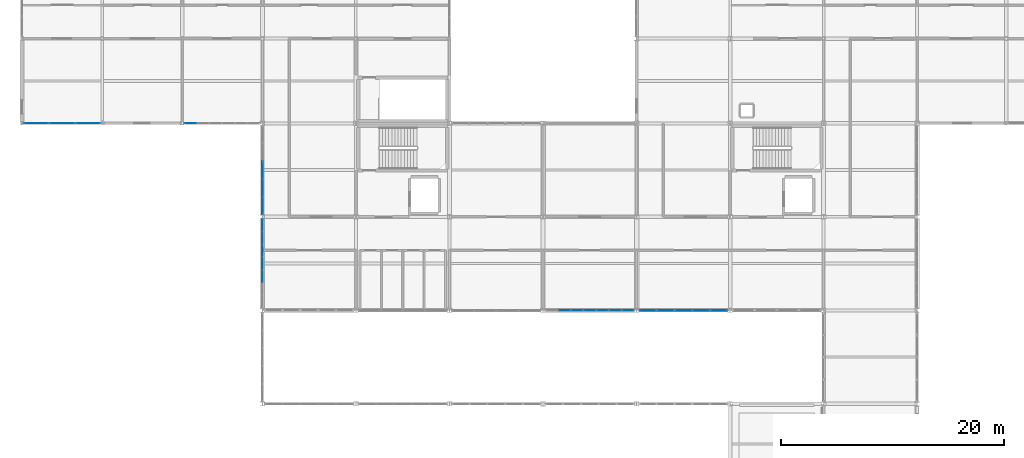
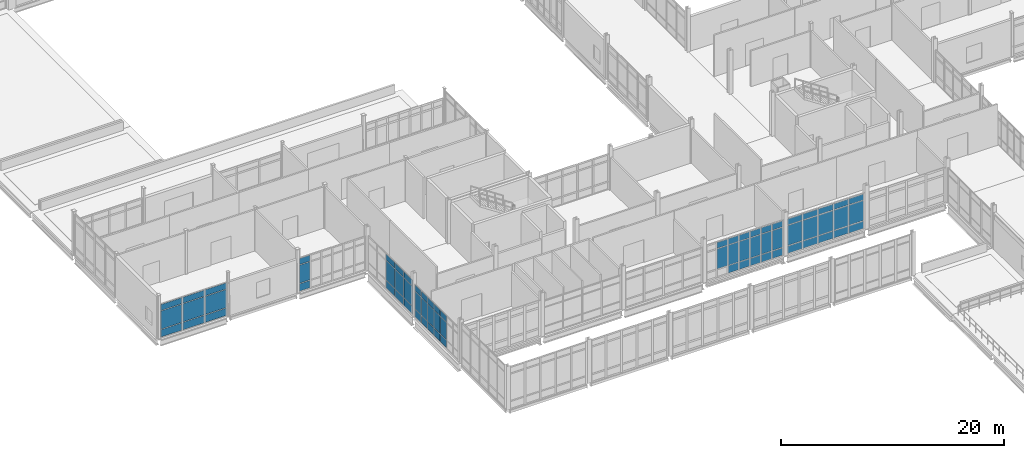
# One storey, part 120 of 186: 68 plates, 6 elements without a shape of their own.
"""IFC4 building model written with IfcOpenShell, lengths in metres."""

from ifc_helpers import new_model, si_unit, direction, frame, origin, origin_2d, place, context, subcontext, project, spatial, rectangle, extrude, material, layer, layer_set, type_object, element, aggregate, save


model = new_model("IFC4")

# Units and contexts
model_context = context("Model", 3, precision=1e-05, world=origin(), true_north=direction((0.0, 1.0)))
body_context = subcontext(model_context, "Body", "Model", "MODEL_VIEW")
ifc_project = project(units=[si_unit("LENGTHUNIT", "METRE"), si_unit("AREAUNIT", "SQUARE_METRE"), si_unit("VOLUMEUNIT", "CUBIC_METRE"), si_unit("PLANEANGLEUNIT", "RADIAN"), si_unit("MASSUNIT", "GRAM", prefix="KILO")], contexts=[model_context])

# Site, building, storey
site_placement = place(None, origin())
site = spatial("IfcSite", under=ifc_project, at=site_placement, CompositionType="ELEMENT")
building_placement = place(site_placement, origin())
building = spatial("IfcBuilding", under=site, at=building_placement, Name="Calvrana Isthmian Art Gallery", CompositionType="ELEMENT")
storey_placement = place(building_placement, frame((0.0, 0.0, 5.39990234375)))
storey = spatial("IfcBuildingStorey", under=building, at=storey_placement, Name="L01", CompositionType="ELEMENT", Elevation=5.39990234375)

# Curtain wall, plates
ifc_material_1 = material(Name="Anodized bronze aluminium 6063-T6", Category="aluminium")
ifc_layer_1 = layer(ifc_material_1, 0.179931640625, Name="Anodized bronze aluminium 6063-T6")
ifc_layer_set_1 = layer_set([ifc_layer_1], Name="Anodized bronze aluminium 6063-T6")
curtain_wall_type_1 = type_object("IfcCurtainWallType", Name="CW-STICK-070X37", PredefinedType="NOTDEFINED", material=ifc_layer_set_1)
curtain_wall_1_placement = place(storey_placement, origin())
curtain_wall_1 = element("IfcCurtainWall", 1, at=curtain_wall_1_placement, inside=storey, type_object=curtain_wall_type_1, Name="Curtain wall CW-095", PredefinedType="NOTDEFINED")
ifc_material_2 = material(Name="Polychrome glazed terracotta", Category="masonry")
ifc_layer_2 = layer(ifc_material_2, 0.033935546875, Name="Polychrome glazed terracotta")
ifc_layer_set_2 = layer_set([ifc_layer_2], Name="Polychrome glazed terracotta")
plate_type_1 = type_object("IfcPlateType", Name="CWP-SPANDREL-34", PredefinedType="CURTAIN_PANEL", material=ifc_layer_set_2)
plate_1_placement = place(storey_placement, frame((5.91650390625, 46.800048828125, 0.06005859375), z_axis=(0.0, 0.0, 1.0), x_axis=(-1.0, 0.0, 0.0)))
plate_1 = element("IfcPlate", 2, at=plate_1_placement, type_object=plate_type_1, Name="CW-095 panel 1.1", PredefinedType="CURTAIN_PANEL", context=body_context, shape_type="SweptSolid", body=[
    extrude(rectangle(XDim=2.203857421875, YDim=0.033935546875, at=origin_2d()), origin(), (0.0, 0.0, 1.0), 0.81005859375),
])
plate_2_placement = place(storey_placement, frame((5.91650390625, 46.800048828125, 0.93017578125), z_axis=(0.0, 0.0, 1.0), x_axis=(-1.0, 0.0, 0.0)))
plate_2 = element("IfcPlate", 3, at=plate_2_placement, type_object=plate_type_1, Name="CW-095 panel 1.2", PredefinedType="CURTAIN_PANEL", context=body_context, shape_type="SweptSolid", body=[
    extrude(rectangle(XDim=2.203857421875, YDim=0.033935546875, at=origin_2d()), origin(), (0.0, 0.0, 1.0), 1.985107421875),
])
plate_3_placement = place(storey_placement, frame((5.91650390625, 46.800048828125, 2.97509765625), z_axis=(0.0, 0.0, 1.0), x_axis=(-1.0, 0.0, 0.0)))
plate_3 = element("IfcPlate", 4, at=plate_3_placement, type_object=plate_type_1, Name="CW-095 panel 1.3", PredefinedType="CURTAIN_PANEL", context=body_context, shape_type="SweptSolid", body=[
    extrude(rectangle(XDim=2.203857421875, YDim=0.033935546875, at=origin_2d()), origin(), (0.0, 0.0, 1.0), 0.659912109375),
])
plate_4_placement = place(storey_placement, frame((3.61279296875, 46.800048828125, 0.06005859375), z_axis=(0.0, 0.0, 1.0), x_axis=(-1.0, 0.0, 0.0)))
plate_4 = element("IfcPlate", 5, at=plate_4_placement, type_object=plate_type_1, Name="CW-095 panel 2.1", PredefinedType="CURTAIN_PANEL", context=body_context, shape_type="SweptSolid", body=[
    extrude(rectangle(XDim=2.243896484375, YDim=0.033935546875, at=origin_2d()), origin(), (0.0, 0.0, 1.0), 0.81005859375),
])
plate_5_placement = place(storey_placement, frame((3.61279296875, 46.800048828125, 0.93017578125), z_axis=(0.0, 0.0, 1.0), x_axis=(-1.0, 0.0, 0.0)))
plate_5 = element("IfcPlate", 6, at=plate_5_placement, type_object=plate_type_1, Name="CW-095 panel 2.2", PredefinedType="CURTAIN_PANEL", context=body_context, shape_type="SweptSolid", body=[
    extrude(rectangle(XDim=2.243896484375, YDim=0.033935546875, at=origin_2d()), origin(), (0.0, 0.0, 1.0), 1.985107421875),
])
plate_6_placement = place(storey_placement, frame((3.61279296875, 46.800048828125, 2.97509765625), z_axis=(0.0, 0.0, 1.0), x_axis=(-1.0, 0.0, 0.0)))
plate_6 = element("IfcPlate", 7, at=plate_6_placement, type_object=plate_type_1, Name="CW-095 panel 2.3", PredefinedType="CURTAIN_PANEL", context=body_context, shape_type="SweptSolid", body=[
    extrude(rectangle(XDim=2.243896484375, YDim=0.033935546875, at=origin_2d()), origin(), (0.0, 0.0, 1.0), 0.659912109375),
])
plate_7_placement = place(storey_placement, frame((1.308837890625, 46.800048828125, 0.06005859375), z_axis=(0.0, 0.0, 1.0), x_axis=(-1.0, 0.0, 0.0)))
plate_7 = element("IfcPlate", 8, at=plate_7_placement, type_object=plate_type_1, Name="CW-095 panel 3.1", PredefinedType="CURTAIN_PANEL", context=body_context, shape_type="SweptSolid", body=[
    extrude(rectangle(XDim=2.203857421875, YDim=0.033935546875, at=origin_2d()), origin(), (0.0, 0.0, 1.0), 0.81005859375),
])
plate_8_placement = place(storey_placement, frame((1.308837890625, 46.800048828125, 0.93017578125), z_axis=(0.0, 0.0, 1.0), x_axis=(-1.0, 0.0, 0.0)))
plate_8 = element("IfcPlate", 9, at=plate_8_placement, type_object=plate_type_1, Name="CW-095 panel 3.2", PredefinedType="CURTAIN_PANEL", context=body_context, shape_type="SweptSolid", body=[
    extrude(rectangle(XDim=2.203857421875, YDim=0.033935546875, at=origin_2d()), origin(), (0.0, 0.0, 1.0), 1.985107421875),
])
plate_9_placement = place(storey_placement, frame((1.308837890625, 46.800048828125, 2.97509765625), z_axis=(0.0, 0.0, 1.0), x_axis=(-1.0, 0.0, 0.0)))
plate_9 = element("IfcPlate", 10, at=plate_9_placement, type_object=plate_type_1, Name="CW-095 panel 3.3", PredefinedType="CURTAIN_PANEL", context=body_context, shape_type="SweptSolid", body=[
    extrude(rectangle(XDim=2.203857421875, YDim=0.033935546875, at=origin_2d()), origin(), (0.0, 0.0, 1.0), 0.659912109375),
])
aggregate(curtain_wall_1, [plate_1, plate_2, plate_3, plate_4, plate_5, plate_6, plate_7, plate_8, plate_9])

ifc_layer_3 = layer(ifc_material_1, 0.179931640625, Name="Anodized bronze aluminium 6063-T6")
ifc_layer_set_3 = layer_set([ifc_layer_3], Name="Anodized bronze aluminium 6063-T6")
curtain_wall_type_2 = type_object("IfcCurtainWallType", Name="CW-STICK-080X39", PredefinedType="NOTDEFINED", material=ifc_layer_set_3)
curtain_wall_2_placement = place(storey_placement, origin())
curtain_wall_2 = element("IfcCurtainWall", 11, at=curtain_wall_2_placement, inside=storey, type_object=curtain_wall_type_2, Name="Curtain wall CW-092", PredefinedType="NOTDEFINED")
ifc_material_3 = material(Name="Low-E laminated solar glass", Category="glass")
ifc_layer_4 = layer(ifc_material_3, 0.028076171875, Name="Low-E laminated solar glass")
ifc_layer_set_4 = layer_set([ifc_layer_4], Name="Low-E laminated solar glass")
plate_type_2 = type_object("IfcPlateType", Name="CWP-VISION-28", PredefinedType="CURTAIN_PANEL", material=ifc_layer_set_4)
plate_10_placement = place(storey_placement, frame((54.41162109375, 30.0, 0.06494140625), z_axis=(0.0, 0.0, 1.0), x_axis=(-1.0, 0.0, 0.0)))
plate_10 = element("IfcPlate", 12, at=plate_10_placement, type_object=plate_type_2, Name="CW-092 panel 1.1", PredefinedType="CURTAIN_PANEL", context=body_context, shape_type="SweptSolid", body=[
    extrude(rectangle(XDim=1.047607421875, YDim=0.028076171875, at=origin_2d()), origin(), (0.0, 0.0, 1.0), 0.802490234375),
])
plate_11_placement = place(storey_placement, frame((54.41162109375, 30.0, 0.9326171875), z_axis=(0.0, 0.0, 1.0), x_axis=(-1.0, 0.0, 0.0)))
plate_11 = element("IfcPlate", 13, at=plate_11_placement, type_object=plate_type_2, Name="CW-092 panel 1.2", PredefinedType="CURTAIN_PANEL", context=body_context, shape_type="SweptSolid", body=[
    extrude(rectangle(XDim=1.047607421875, YDim=0.028076171875, at=origin_2d()), origin(), (0.0, 0.0, 1.0), 2.18310546875),
])
plate_12_placement = place(storey_placement, frame((54.41162109375, 30.0, 3.1806640625), z_axis=(0.0, 0.0, 1.0), x_axis=(-1.0, 0.0, 0.0)))
plate_12 = element("IfcPlate", 14, at=plate_12_placement, type_object=plate_type_2, Name="CW-092 panel 1.3", PredefinedType="CURTAIN_PANEL", context=body_context, shape_type="SweptSolid", body=[
    extrude(rectangle(XDim=1.047607421875, YDim=0.028076171875, at=origin_2d()), origin(), (0.0, 0.0, 1.0), 0.652587890625),
])
plate_13_placement = place(storey_placement, frame((53.28271484375, 30.0, 0.06494140625), z_axis=(0.0, 0.0, 1.0), x_axis=(-1.0, 0.0, 0.0)))
plate_13 = element("IfcPlate", 15, at=plate_13_placement, type_object=plate_type_2, Name="CW-092 panel 2.1", PredefinedType="CURTAIN_PANEL", context=body_context, shape_type="SweptSolid", body=[
    extrude(rectangle(XDim=1.080322265625, YDim=0.028076171875, at=origin_2d()), origin(), (0.0, 0.0, 1.0), 0.802490234375),
])
plate_14_placement = place(storey_placement, frame((53.28271484375, 30.0, 0.9326171875), z_axis=(0.0, 0.0, 1.0), x_axis=(-1.0, 0.0, 0.0)))
plate_14 = element("IfcPlate", 16, at=plate_14_placement, type_object=plate_type_2, Name="CW-092 panel 2.2", PredefinedType="CURTAIN_PANEL", context=body_context, shape_type="SweptSolid", body=[
    extrude(rectangle(XDim=1.080322265625, YDim=0.028076171875, at=origin_2d()), origin(), (0.0, 0.0, 1.0), 2.18310546875),
])
plate_15_placement = place(storey_placement, frame((53.28271484375, 30.0, 3.1806640625), z_axis=(0.0, 0.0, 1.0), x_axis=(-1.0, 0.0, 0.0)))
plate_15 = element("IfcPlate", 17, at=plate_15_placement, type_object=plate_type_2, Name="CW-092 panel 2.3", PredefinedType="CURTAIN_PANEL", context=body_context, shape_type="SweptSolid", body=[
    extrude(rectangle(XDim=1.080322265625, YDim=0.028076171875, at=origin_2d()), origin(), (0.0, 0.0, 1.0), 0.652587890625),
])
plate_16_placement = place(storey_placement, frame((52.137451171875, 30.0, 0.06494140625), z_axis=(0.0, 0.0, 1.0), x_axis=(-1.0, 0.0, 0.0)))
plate_16 = element("IfcPlate", 18, at=plate_16_placement, type_object=plate_type_2, Name="CW-092 panel 3.1", PredefinedType="CURTAIN_PANEL", context=body_context, shape_type="SweptSolid", body=[
    extrude(rectangle(XDim=1.080322265625, YDim=0.028076171875, at=origin_2d()), origin(), (0.0, 0.0, 1.0), 0.802490234375),
])
plate_17_placement = place(storey_placement, frame((52.137451171875, 30.0, 0.9326171875), z_axis=(0.0, 0.0, 1.0), x_axis=(-1.0, 0.0, 0.0)))
plate_17 = element("IfcPlate", 19, at=plate_17_placement, type_object=plate_type_2, Name="CW-092 panel 3.2", PredefinedType="CURTAIN_PANEL", context=body_context, shape_type="SweptSolid", body=[
    extrude(rectangle(XDim=1.080322265625, YDim=0.028076171875, at=origin_2d()), origin(), (0.0, 0.0, 1.0), 2.18310546875),
])
plate_18_placement = place(storey_placement, frame((52.137451171875, 30.0, 3.1806640625), z_axis=(0.0, 0.0, 1.0), x_axis=(-1.0, 0.0, 0.0)))
plate_18 = element("IfcPlate", 20, at=plate_18_placement, type_object=plate_type_2, Name="CW-092 panel 3.3", PredefinedType="CURTAIN_PANEL", context=body_context, shape_type="SweptSolid", body=[
    extrude(rectangle(XDim=1.080322265625, YDim=0.028076171875, at=origin_2d()), origin(), (0.0, 0.0, 1.0), 0.652587890625),
])
plate_19_placement = place(storey_placement, frame((50.9921875, 30.0, 0.06494140625), z_axis=(0.0, 0.0, 1.0), x_axis=(-1.0, 0.0, 0.0)))
plate_19 = element("IfcPlate", 21, at=plate_19_placement, type_object=plate_type_2, Name="CW-092 panel 4.1", PredefinedType="CURTAIN_PANEL", context=body_context, shape_type="SweptSolid", body=[
    extrude(rectangle(XDim=1.080322265625, YDim=0.028076171875, at=origin_2d()), origin(), (0.0, 0.0, 1.0), 0.802490234375),
])
plate_20_placement = place(storey_placement, frame((50.9921875, 30.0, 0.9326171875), z_axis=(0.0, 0.0, 1.0), x_axis=(-1.0, 0.0, 0.0)))
plate_20 = element("IfcPlate", 22, at=plate_20_placement, type_object=plate_type_2, Name="CW-092 panel 4.2", PredefinedType="CURTAIN_PANEL", context=body_context, shape_type="SweptSolid", body=[
    extrude(rectangle(XDim=1.080322265625, YDim=0.028076171875, at=origin_2d()), origin(), (0.0, 0.0, 1.0), 2.18310546875),
])
plate_21_placement = place(storey_placement, frame((50.9921875, 30.0, 3.1806640625), z_axis=(0.0, 0.0, 1.0), x_axis=(-1.0, 0.0, 0.0)))
plate_21 = element("IfcPlate", 23, at=plate_21_placement, type_object=plate_type_2, Name="CW-092 panel 4.3", PredefinedType="CURTAIN_PANEL", context=body_context, shape_type="SweptSolid", body=[
    extrude(rectangle(XDim=1.080322265625, YDim=0.028076171875, at=origin_2d()), origin(), (0.0, 0.0, 1.0), 0.652587890625),
])
plate_22_placement = place(storey_placement, frame((49.846923828125, 30.0, 0.06494140625), z_axis=(0.0, 0.0, 1.0), x_axis=(-1.0, 0.0, 0.0)))
plate_22 = element("IfcPlate", 24, at=plate_22_placement, type_object=plate_type_2, Name="CW-092 panel 5.1", PredefinedType="CURTAIN_PANEL", context=body_context, shape_type="SweptSolid", body=[
    extrude(rectangle(XDim=1.080322265625, YDim=0.028076171875, at=origin_2d()), origin(), (0.0, 0.0, 1.0), 0.802490234375),
])
plate_23_placement = place(storey_placement, frame((49.846923828125, 30.0, 0.9326171875), z_axis=(0.0, 0.0, 1.0), x_axis=(-1.0, 0.0, 0.0)))
plate_23 = element("IfcPlate", 25, at=plate_23_placement, type_object=plate_type_2, Name="CW-092 panel 5.2", PredefinedType="CURTAIN_PANEL", context=body_context, shape_type="SweptSolid", body=[
    extrude(rectangle(XDim=1.080322265625, YDim=0.028076171875, at=origin_2d()), origin(), (0.0, 0.0, 1.0), 2.18310546875),
])
plate_24_placement = place(storey_placement, frame((49.846923828125, 30.0, 3.1806640625), z_axis=(0.0, 0.0, 1.0), x_axis=(-1.0, 0.0, 0.0)))
plate_24 = element("IfcPlate", 26, at=plate_24_placement, type_object=plate_type_2, Name="CW-092 panel 5.3", PredefinedType="CURTAIN_PANEL", context=body_context, shape_type="SweptSolid", body=[
    extrude(rectangle(XDim=1.080322265625, YDim=0.028076171875, at=origin_2d()), origin(), (0.0, 0.0, 1.0), 0.652587890625),
])
plate_25_placement = place(storey_placement, frame((48.701904296875, 30.0, 0.9326171875), z_axis=(0.0, 0.0, 1.0), x_axis=(-1.0, 0.0, 0.0)))
plate_25 = element("IfcPlate", 27, at=plate_25_placement, type_object=plate_type_2, Name="CW-092 panel 6.2", PredefinedType="CURTAIN_PANEL", context=body_context, shape_type="SweptSolid", body=[
    extrude(rectangle(XDim=1.080322265625, YDim=0.028076171875, at=origin_2d()), origin(), (0.0, 0.0, 1.0), 2.18310546875),
])
plate_26_placement = place(storey_placement, frame((48.701904296875, 30.0, 3.1806640625), z_axis=(0.0, 0.0, 1.0), x_axis=(-1.0, 0.0, 0.0)))
plate_26 = element("IfcPlate", 28, at=plate_26_placement, type_object=plate_type_2, Name="CW-092 panel 6.3", PredefinedType="CURTAIN_PANEL", context=body_context, shape_type="SweptSolid", body=[
    extrude(rectangle(XDim=1.080322265625, YDim=0.028076171875, at=origin_2d()), origin(), (0.0, 0.0, 1.0), 0.652587890625),
])
aggregate(curtain_wall_2, [plate_10, plate_11, plate_12, plate_13, plate_14, plate_15, plate_16, plate_17, plate_18, plate_19, plate_20, plate_21, plate_22, plate_23, plate_24, plate_25, plate_26])

curtain_wall_3_placement = place(storey_placement, origin())
curtain_wall_3 = element("IfcCurtainWall", 29, at=curtain_wall_3_placement, inside=storey, type_object=curtain_wall_type_2, Name="Curtain wall CW-093", PredefinedType="NOTDEFINED")
plate_27_placement = place(storey_placement, frame((62.584228515625, 30.0, 0.070068359375), z_axis=(0.0, 0.0, 1.0), x_axis=(-1.0, 0.0, 0.0)))
plate_27 = element("IfcPlate", 30, at=plate_27_placement, type_object=plate_type_2, Name="CW-093 panel 1.1", PredefinedType="CURTAIN_PANEL", context=body_context, shape_type="SweptSolid", body=[
    extrude(rectangle(XDim=1.49560546875, YDim=0.028076171875, at=origin_2d()), origin(), (0.0, 0.0, 1.0), 0.794921875),
])
plate_28_placement = place(storey_placement, frame((62.584228515625, 30.0, 0.93505859375), z_axis=(0.0, 0.0, 1.0), x_axis=(-1.0, 0.0, 0.0)))
plate_28 = element("IfcPlate", 31, at=plate_28_placement, type_object=plate_type_2, Name="CW-093 panel 1.2", PredefinedType="CURTAIN_PANEL", context=body_context, shape_type="SweptSolid", body=[
    extrude(rectangle(XDim=1.49560546875, YDim=0.028076171875, at=origin_2d()), origin(), (0.0, 0.0, 1.0), 2.18798828125),
])
plate_29_placement = place(storey_placement, frame((62.584228515625, 30.0, 3.193115234375), z_axis=(0.0, 0.0, 1.0), x_axis=(-1.0, 0.0, 0.0)))
plate_29 = element("IfcPlate", 32, at=plate_29_placement, type_object=plate_type_2, Name="CW-093 panel 1.3", PredefinedType="CURTAIN_PANEL", context=body_context, shape_type="SweptSolid", body=[
    extrude(rectangle(XDim=1.49560546875, YDim=0.028076171875, at=origin_2d()), origin(), (0.0, 0.0, 1.0), 0.64501953125),
])
plate_30_placement = place(storey_placement, frame((61.001220703125, 30.0, 0.070068359375), z_axis=(0.0, 0.0, 1.0), x_axis=(-1.0, 0.0, 0.0)))
plate_30 = element("IfcPlate", 33, at=plate_30_placement, type_object=plate_type_2, Name="CW-093 panel 2.1", PredefinedType="CURTAIN_PANEL", context=body_context, shape_type="SweptSolid", body=[
    extrude(rectangle(XDim=1.530517578125, YDim=0.028076171875, at=origin_2d()), origin(), (0.0, 0.0, 1.0), 0.794921875),
])
plate_31_placement = place(storey_placement, frame((61.001220703125, 30.0, 0.93505859375), z_axis=(0.0, 0.0, 1.0), x_axis=(-1.0, 0.0, 0.0)))
plate_31 = element("IfcPlate", 34, at=plate_31_placement, type_object=plate_type_2, Name="CW-093 panel 2.2", PredefinedType="CURTAIN_PANEL", context=body_context, shape_type="SweptSolid", body=[
    extrude(rectangle(XDim=1.530517578125, YDim=0.028076171875, at=origin_2d()), origin(), (0.0, 0.0, 1.0), 2.18798828125),
])
plate_32_placement = place(storey_placement, frame((61.001220703125, 30.0, 3.193115234375), z_axis=(0.0, 0.0, 1.0), x_axis=(-1.0, 0.0, 0.0)))
plate_32 = element("IfcPlate", 35, at=plate_32_placement, type_object=plate_type_2, Name="CW-093 panel 2.3", PredefinedType="CURTAIN_PANEL", context=body_context, shape_type="SweptSolid", body=[
    extrude(rectangle(XDim=1.530517578125, YDim=0.028076171875, at=origin_2d()), origin(), (0.0, 0.0, 1.0), 0.64501953125),
])
plate_33_placement = place(storey_placement, frame((59.400634765625, 30.0, 0.070068359375), z_axis=(0.0, 0.0, 1.0), x_axis=(-1.0, 0.0, 0.0)))
plate_33 = element("IfcPlate", 36, at=plate_33_placement, type_object=plate_type_2, Name="CW-093 panel 3.1", PredefinedType="CURTAIN_PANEL", context=body_context, shape_type="SweptSolid", body=[
    extrude(rectangle(XDim=1.530517578125, YDim=0.028076171875, at=origin_2d()), origin(), (0.0, 0.0, 1.0), 0.794921875),
])
plate_34_placement = place(storey_placement, frame((59.400634765625, 30.0, 0.93505859375), z_axis=(0.0, 0.0, 1.0), x_axis=(-1.0, 0.0, 0.0)))
plate_34 = element("IfcPlate", 37, at=plate_34_placement, type_object=plate_type_2, Name="CW-093 panel 3.2", PredefinedType="CURTAIN_PANEL", context=body_context, shape_type="SweptSolid", body=[
    extrude(rectangle(XDim=1.530517578125, YDim=0.028076171875, at=origin_2d()), origin(), (0.0, 0.0, 1.0), 2.18798828125),
])
plate_35_placement = place(storey_placement, frame((59.400634765625, 30.0, 3.193115234375), z_axis=(0.0, 0.0, 1.0), x_axis=(-1.0, 0.0, 0.0)))
plate_35 = element("IfcPlate", 38, at=plate_35_placement, type_object=plate_type_2, Name="CW-093 panel 3.3", PredefinedType="CURTAIN_PANEL", context=body_context, shape_type="SweptSolid", body=[
    extrude(rectangle(XDim=1.530517578125, YDim=0.028076171875, at=origin_2d()), origin(), (0.0, 0.0, 1.0), 0.64501953125),
])
plate_36_placement = place(storey_placement, frame((57.80029296875, 30.0, 0.070068359375), z_axis=(0.0, 0.0, 1.0), x_axis=(-1.0, 0.0, 0.0)))
plate_36 = element("IfcPlate", 39, at=plate_36_placement, type_object=plate_type_2, Name="CW-093 panel 4.1", PredefinedType="CURTAIN_PANEL", context=body_context, shape_type="SweptSolid", body=[
    extrude(rectangle(XDim=1.530517578125, YDim=0.028076171875, at=origin_2d()), origin(), (0.0, 0.0, 1.0), 0.794921875),
])
plate_37_placement = place(storey_placement, frame((57.80029296875, 30.0, 0.93505859375), z_axis=(0.0, 0.0, 1.0), x_axis=(-1.0, 0.0, 0.0)))
plate_37 = element("IfcPlate", 40, at=plate_37_placement, type_object=plate_type_2, Name="CW-093 panel 4.2", PredefinedType="CURTAIN_PANEL", context=body_context, shape_type="SweptSolid", body=[
    extrude(rectangle(XDim=1.530517578125, YDim=0.028076171875, at=origin_2d()), origin(), (0.0, 0.0, 1.0), 2.18798828125),
])
plate_38_placement = place(storey_placement, frame((57.80029296875, 30.0, 3.193115234375), z_axis=(0.0, 0.0, 1.0), x_axis=(-1.0, 0.0, 0.0)))
plate_38 = element("IfcPlate", 41, at=plate_38_placement, type_object=plate_type_2, Name="CW-093 panel 4.3", PredefinedType="CURTAIN_PANEL", context=body_context, shape_type="SweptSolid", body=[
    extrude(rectangle(XDim=1.530517578125, YDim=0.028076171875, at=origin_2d()), origin(), (0.0, 0.0, 1.0), 0.64501953125),
])
plate_39_placement = place(storey_placement, frame((56.21728515625, 30.0, 0.070068359375), z_axis=(0.0, 0.0, 1.0), x_axis=(-1.0, 0.0, 0.0)))
plate_39 = element("IfcPlate", 42, at=plate_39_placement, type_object=plate_type_2, Name="CW-093 panel 5.1", PredefinedType="CURTAIN_PANEL", context=body_context, shape_type="SweptSolid", body=[
    extrude(rectangle(XDim=1.49560546875, YDim=0.028076171875, at=origin_2d()), origin(), (0.0, 0.0, 1.0), 0.794921875),
])
plate_40_placement = place(storey_placement, frame((56.21728515625, 30.0, 0.93505859375), z_axis=(0.0, 0.0, 1.0), x_axis=(-1.0, 0.0, 0.0)))
plate_40 = element("IfcPlate", 43, at=plate_40_placement, type_object=plate_type_2, Name="CW-093 panel 5.2", PredefinedType="CURTAIN_PANEL", context=body_context, shape_type="SweptSolid", body=[
    extrude(rectangle(XDim=1.49560546875, YDim=0.028076171875, at=origin_2d()), origin(), (0.0, 0.0, 1.0), 2.18798828125),
])
plate_41_placement = place(storey_placement, frame((56.21728515625, 30.0, 3.193115234375), z_axis=(0.0, 0.0, 1.0), x_axis=(-1.0, 0.0, 0.0)))
plate_41 = element("IfcPlate", 44, at=plate_41_placement, type_object=plate_type_2, Name="CW-093 panel 5.3", PredefinedType="CURTAIN_PANEL", context=body_context, shape_type="SweptSolid", body=[
    extrude(rectangle(XDim=1.49560546875, YDim=0.028076171875, at=origin_2d()), origin(), (0.0, 0.0, 1.0), 0.64501953125),
])
aggregate(curtain_wall_3, [plate_27, plate_28, plate_29, plate_30, plate_31, plate_32, plate_33, plate_34, plate_35, plate_36, plate_37, plate_38, plate_39, plate_40, plate_41])

ifc_layer_5 = layer(ifc_material_1, 0.179931640625, Name="Anodized bronze aluminium 6063-T6")
ifc_layer_set_5 = layer_set([ifc_layer_5], Name="Anodized bronze aluminium 6063-T6")
curtain_wall_type_3 = type_object("IfcCurtainWallType", Name="CW-UNIT-069X37", PredefinedType="USERDEFINED", material=ifc_layer_set_5)
curtain_wall_4_placement = place(storey_placement, origin())
curtain_wall_4 = element("IfcCurtainWall", 45, at=curtain_wall_4_placement, inside=storey, type_object=curtain_wall_type_3, Name="Curtain wall CW-096", ObjectType="UNITISED CURTAIN WALL", PredefinedType="USERDEFINED")
plate_42_placement = place(storey_placement, frame((15.13818359375, 46.800048828125, 0.06005859375), z_axis=(0.0, 0.0, 1.0), x_axis=(-1.0, 0.0, 0.0)))
plate_42 = element("IfcPlate", 46, at=plate_42_placement, type_object=plate_type_2, Name="CW-096 panel 6.1", PredefinedType="CURTAIN_PANEL", context=body_context, shape_type="SweptSolid", body=[
    extrude(rectangle(XDim=1.0517578125, YDim=0.028076171875, at=origin_2d()), origin(), (0.0, 0.0, 1.0), 0.81005859375),
])
plate_43_placement = place(storey_placement, frame((15.13818359375, 46.800048828125, 0.93017578125), z_axis=(0.0, 0.0, 1.0), x_axis=(-1.0, 0.0, 0.0)))
plate_43 = element("IfcPlate", 47, at=plate_43_placement, type_object=plate_type_2, Name="CW-096 panel 6.2", PredefinedType="CURTAIN_PANEL", context=body_context, shape_type="SweptSolid", body=[
    extrude(rectangle(XDim=1.0517578125, YDim=0.028076171875, at=origin_2d()), origin(), (0.0, 0.0, 1.0), 1.985107421875),
])
plate_44_placement = place(storey_placement, frame((15.13818359375, 46.800048828125, 2.97509765625), z_axis=(0.0, 0.0, 1.0), x_axis=(-1.0, 0.0, 0.0)))
plate_44 = element("IfcPlate", 48, at=plate_44_placement, type_object=plate_type_2, Name="CW-096 panel 6.3", PredefinedType="CURTAIN_PANEL", context=body_context, shape_type="SweptSolid", body=[
    extrude(rectangle(XDim=1.0517578125, YDim=0.028076171875, at=origin_2d()), origin(), (0.0, 0.0, 1.0), 0.659912109375),
])
aggregate(curtain_wall_4, [plate_42, plate_43, plate_44])

ifc_layer_6 = layer(ifc_material_1, 0.179931640625, Name="Anodized bronze aluminium 6063-T6")
ifc_layer_set_6 = layer_set([ifc_layer_6], Name="Anodized bronze aluminium 6063-T6")
curtain_wall_type_4 = type_object("IfcCurtainWallType", Name="CW-UNIT-080X36", PredefinedType="USERDEFINED", material=ifc_layer_set_6)
curtain_wall_5_placement = place(storey_placement, origin())
curtain_wall_5 = element("IfcCurtainWall", 49, at=curtain_wall_5_placement, inside=storey, type_object=curtain_wall_type_4, Name="Curtain wall CW-120", ObjectType="UNITISED CURTAIN WALL", PredefinedType="USERDEFINED")
plate_45_placement = place(storey_placement, frame((21.60009765625, 33.056396484375, 0.06005859375), z_axis=(0.0, 0.0, 1.0), x_axis=(0.0, 1.0, 0.0)))
plate_45 = element("IfcPlate", 50, at=plate_45_placement, type_object=plate_type_2, Name="CW-120 panel 3.1", PredefinedType="CURTAIN_PANEL", context=body_context, shape_type="SweptSolid", body=[
    extrude(rectangle(XDim=1.087890625, YDim=0.028076171875, at=origin_2d()), origin(), (0.0, 0.0, 1.0), 0.81005859375),
])
plate_46_placement = place(storey_placement, frame((21.60009765625, 33.056396484375, 0.93017578125), z_axis=(0.0, 0.0, 1.0), x_axis=(0.0, 1.0, 0.0)))
plate_46 = element("IfcPlate", 51, at=plate_46_placement, type_object=plate_type_2, Name="CW-120 panel 3.2", PredefinedType="CURTAIN_PANEL", context=body_context, shape_type="SweptSolid", body=[
    extrude(rectangle(XDim=1.087890625, YDim=0.028076171875, at=origin_2d()), origin(), (0.0, 0.0, 1.0), 1.883056640625),
])
plate_47_placement = place(storey_placement, frame((21.60009765625, 33.056396484375, 2.873046875), z_axis=(0.0, 0.0, 1.0), x_axis=(0.0, 1.0, 0.0)))
plate_47 = element("IfcPlate", 52, at=plate_47_placement, type_object=plate_type_2, Name="CW-120 panel 3.3", PredefinedType="CURTAIN_PANEL", context=body_context, shape_type="SweptSolid", body=[
    extrude(rectangle(XDim=1.087890625, YDim=0.028076171875, at=origin_2d()), origin(), (0.0, 0.0, 1.0), 0.659912109375),
])
plate_48_placement = place(storey_placement, frame((21.60009765625, 34.204345703125, 0.06005859375), z_axis=(0.0, 0.0, 1.0), x_axis=(0.0, 1.0, 0.0)))
plate_48 = element("IfcPlate", 53, at=plate_48_placement, type_object=plate_type_2, Name="CW-120 panel 4.1", PredefinedType="CURTAIN_PANEL", context=body_context, shape_type="SweptSolid", body=[
    extrude(rectangle(XDim=1.087890625, YDim=0.028076171875, at=origin_2d()), origin(), (0.0, 0.0, 1.0), 0.81005859375),
])
plate_49_placement = place(storey_placement, frame((21.60009765625, 34.204345703125, 0.93017578125), z_axis=(0.0, 0.0, 1.0), x_axis=(0.0, 1.0, 0.0)))
plate_49 = element("IfcPlate", 54, at=plate_49_placement, type_object=plate_type_2, Name="CW-120 panel 4.2", PredefinedType="CURTAIN_PANEL", context=body_context, shape_type="SweptSolid", body=[
    extrude(rectangle(XDim=1.087890625, YDim=0.028076171875, at=origin_2d()), origin(), (0.0, 0.0, 1.0), 1.883056640625),
])
plate_50_placement = place(storey_placement, frame((21.60009765625, 34.204345703125, 2.873046875), z_axis=(0.0, 0.0, 1.0), x_axis=(0.0, 1.0, 0.0)))
plate_50 = element("IfcPlate", 55, at=plate_50_placement, type_object=plate_type_2, Name="CW-120 panel 4.3", PredefinedType="CURTAIN_PANEL", context=body_context, shape_type="SweptSolid", body=[
    extrude(rectangle(XDim=1.087890625, YDim=0.028076171875, at=origin_2d()), origin(), (0.0, 0.0, 1.0), 0.659912109375),
])
plate_51_placement = place(storey_placement, frame((21.60009765625, 35.352294921875, 0.06005859375), z_axis=(0.0, 0.0, 1.0), x_axis=(0.0, 1.0, 0.0)))
plate_51 = element("IfcPlate", 56, at=plate_51_placement, type_object=plate_type_2, Name="CW-120 panel 5.1", PredefinedType="CURTAIN_PANEL", context=body_context, shape_type="SweptSolid", body=[
    extrude(rectangle(XDim=1.087890625, YDim=0.028076171875, at=origin_2d()), origin(), (0.0, 0.0, 1.0), 0.81005859375),
])
plate_52_placement = place(storey_placement, frame((21.60009765625, 35.352294921875, 0.93017578125), z_axis=(0.0, 0.0, 1.0), x_axis=(0.0, 1.0, 0.0)))
plate_52 = element("IfcPlate", 57, at=plate_52_placement, type_object=plate_type_2, Name="CW-120 panel 5.2", PredefinedType="CURTAIN_PANEL", context=body_context, shape_type="SweptSolid", body=[
    extrude(rectangle(XDim=1.087890625, YDim=0.028076171875, at=origin_2d()), origin(), (0.0, 0.0, 1.0), 1.883056640625),
])
plate_53_placement = place(storey_placement, frame((21.60009765625, 35.352294921875, 2.873046875), z_axis=(0.0, 0.0, 1.0), x_axis=(0.0, 1.0, 0.0)))
plate_53 = element("IfcPlate", 58, at=plate_53_placement, type_object=plate_type_2, Name="CW-120 panel 5.3", PredefinedType="CURTAIN_PANEL", context=body_context, shape_type="SweptSolid", body=[
    extrude(rectangle(XDim=1.087890625, YDim=0.028076171875, at=origin_2d()), origin(), (0.0, 0.0, 1.0), 0.659912109375),
])
plate_54_placement = place(storey_placement, frame((21.60009765625, 36.5, 0.06005859375), z_axis=(0.0, 0.0, 1.0), x_axis=(0.0, 1.0, 0.0)))
plate_54 = element("IfcPlate", 59, at=plate_54_placement, type_object=plate_type_2, Name="CW-120 panel 6.1", PredefinedType="CURTAIN_PANEL", context=body_context, shape_type="SweptSolid", body=[
    extrude(rectangle(XDim=1.087890625, YDim=0.028076171875, at=origin_2d()), origin(), (0.0, 0.0, 1.0), 0.81005859375),
])
plate_55_placement = place(storey_placement, frame((21.60009765625, 36.5, 0.93017578125), z_axis=(0.0, 0.0, 1.0), x_axis=(0.0, 1.0, 0.0)))
plate_55 = element("IfcPlate", 60, at=plate_55_placement, type_object=plate_type_2, Name="CW-120 panel 6.2", PredefinedType="CURTAIN_PANEL", context=body_context, shape_type="SweptSolid", body=[
    extrude(rectangle(XDim=1.087890625, YDim=0.028076171875, at=origin_2d()), origin(), (0.0, 0.0, 1.0), 1.883056640625),
])
plate_56_placement = place(storey_placement, frame((21.60009765625, 36.5, 2.873046875), z_axis=(0.0, 0.0, 1.0), x_axis=(0.0, 1.0, 0.0)))
plate_56 = element("IfcPlate", 61, at=plate_56_placement, type_object=plate_type_2, Name="CW-120 panel 6.3", PredefinedType="CURTAIN_PANEL", context=body_context, shape_type="SweptSolid", body=[
    extrude(rectangle(XDim=1.087890625, YDim=0.028076171875, at=origin_2d()), origin(), (0.0, 0.0, 1.0), 0.659912109375),
])
plate_57_placement = place(storey_placement, frame((21.60009765625, 37.633056640625, 0.06005859375), z_axis=(0.0, 0.0, 1.0), x_axis=(0.0, 1.0, 0.0)))
plate_57 = element("IfcPlate", 62, at=plate_57_placement, type_object=plate_type_2, Name="CW-120 panel 7.1", PredefinedType="CURTAIN_PANEL", context=body_context, shape_type="SweptSolid", body=[
    extrude(rectangle(XDim=1.057861328125, YDim=0.028076171875, at=origin_2d()), origin(), (0.0, 0.0, 1.0), 0.81005859375),
])
plate_58_placement = place(storey_placement, frame((21.60009765625, 37.633056640625, 0.93017578125), z_axis=(0.0, 0.0, 1.0), x_axis=(0.0, 1.0, 0.0)))
plate_58 = element("IfcPlate", 63, at=plate_58_placement, type_object=plate_type_2, Name="CW-120 panel 7.2", PredefinedType="CURTAIN_PANEL", context=body_context, shape_type="SweptSolid", body=[
    extrude(rectangle(XDim=1.057861328125, YDim=0.028076171875, at=origin_2d()), origin(), (0.0, 0.0, 1.0), 1.883056640625),
])
plate_59_placement = place(storey_placement, frame((21.60009765625, 37.633056640625, 2.873046875), z_axis=(0.0, 0.0, 1.0), x_axis=(0.0, 1.0, 0.0)))
plate_59 = element("IfcPlate", 64, at=plate_59_placement, type_object=plate_type_2, Name="CW-120 panel 7.3", PredefinedType="CURTAIN_PANEL", context=body_context, shape_type="SweptSolid", body=[
    extrude(rectangle(XDim=1.057861328125, YDim=0.028076171875, at=origin_2d()), origin(), (0.0, 0.0, 1.0), 0.659912109375),
])
aggregate(curtain_wall_5, [plate_45, plate_46, plate_47, plate_48, plate_49, plate_50, plate_51, plate_52, plate_53, plate_54, plate_55, plate_56, plate_57, plate_58, plate_59])

ifc_layer_7 = layer(ifc_material_1, 0.179931640625, Name="Anodized bronze aluminium 6063-T6")
ifc_layer_set_7 = layer_set([ifc_layer_7], Name="Anodized bronze aluminium 6063-T6")
curtain_wall_type_5 = type_object("IfcCurtainWallType", Name="CW-UNIT-080X38", PredefinedType="USERDEFINED", material=ifc_layer_set_7)
curtain_wall_6_placement = place(storey_placement, origin())
curtain_wall_6 = element("IfcCurtainWall", 65, at=curtain_wall_6_placement, inside=storey, type_object=curtain_wall_type_5, Name="Curtain wall CW-121", ObjectType="UNITISED CURTAIN WALL", PredefinedType="USERDEFINED")
plate_60_placement = place(storey_placement, frame((21.60009765625, 39.396484375, 0.06005859375), z_axis=(0.0, 0.0, 1.0), x_axis=(0.0, 1.0, 0.0)))
plate_60 = element("IfcPlate", 66, at=plate_60_placement, type_object=plate_type_2, Name="CW-121 panel 1.1", PredefinedType="CURTAIN_PANEL", context=body_context, shape_type="SweptSolid", body=[
    extrude(rectangle(XDim=1.516845703125, YDim=0.028076171875, at=origin_2d()), origin(), (0.0, 0.0, 1.0), 0.81005859375),
])
plate_61_placement = place(storey_placement, frame((21.60009765625, 39.396484375, 0.93017578125), z_axis=(0.0, 0.0, 1.0), x_axis=(0.0, 1.0, 0.0)))
plate_61 = element("IfcPlate", 67, at=plate_61_placement, type_object=plate_type_2, Name="CW-121 panel 1.2", PredefinedType="CURTAIN_PANEL", context=body_context, shape_type="SweptSolid", body=[
    extrude(rectangle(XDim=1.516845703125, YDim=0.028076171875, at=origin_2d()), origin(), (0.0, 0.0, 1.0), 2.116943359375),
])
plate_62_placement = place(storey_placement, frame((21.60009765625, 39.396484375, 3.10693359375), z_axis=(0.0, 0.0, 1.0), x_axis=(0.0, 1.0, 0.0)))
plate_62 = element("IfcPlate", 68, at=plate_62_placement, type_object=plate_type_2, Name="CW-121 panel 1.3", PredefinedType="CURTAIN_PANEL", context=body_context, shape_type="SweptSolid", body=[
    extrude(rectangle(XDim=1.516845703125, YDim=0.028076171875, at=origin_2d()), origin(), (0.0, 0.0, 1.0), 0.659912109375),
])
plate_63_placement = place(storey_placement, frame((21.60009765625, 40.98828125, 0.06005859375), z_axis=(0.0, 0.0, 1.0), x_axis=(0.0, 1.0, 0.0)))
plate_63 = element("IfcPlate", 69, at=plate_63_placement, type_object=plate_type_2, Name="CW-121 panel 2.1", PredefinedType="CURTAIN_PANEL", context=body_context, shape_type="SweptSolid", body=[
    extrude(rectangle(XDim=1.546875, YDim=0.028076171875, at=origin_2d()), origin(), (0.0, 0.0, 1.0), 0.81005859375),
])
plate_64_placement = place(storey_placement, frame((21.60009765625, 40.98828125, 0.93017578125), z_axis=(0.0, 0.0, 1.0), x_axis=(0.0, 1.0, 0.0)))
plate_64 = element("IfcPlate", 70, at=plate_64_placement, type_object=plate_type_2, Name="CW-121 panel 2.2", PredefinedType="CURTAIN_PANEL", context=body_context, shape_type="SweptSolid", body=[
    extrude(rectangle(XDim=1.546875, YDim=0.028076171875, at=origin_2d()), origin(), (0.0, 0.0, 1.0), 2.116943359375),
])
plate_65_placement = place(storey_placement, frame((21.60009765625, 40.98828125, 3.10693359375), z_axis=(0.0, 0.0, 1.0), x_axis=(0.0, 1.0, 0.0)))
plate_65 = element("IfcPlate", 71, at=plate_65_placement, type_object=plate_type_2, Name="CW-121 panel 2.3", PredefinedType="CURTAIN_PANEL", context=body_context, shape_type="SweptSolid", body=[
    extrude(rectangle(XDim=1.546875, YDim=0.028076171875, at=origin_2d()), origin(), (0.0, 0.0, 1.0), 0.659912109375),
])
plate_66_placement = place(storey_placement, frame((21.60009765625, 42.594970703125, 0.06005859375), z_axis=(0.0, 0.0, 1.0), x_axis=(0.0, 1.0, 0.0)))
plate_66 = element("IfcPlate", 72, at=plate_66_placement, type_object=plate_type_2, Name="CW-121 panel 3.1", PredefinedType="CURTAIN_PANEL", context=body_context, shape_type="SweptSolid", body=[
    extrude(rectangle(XDim=1.546875, YDim=0.028076171875, at=origin_2d()), origin(), (0.0, 0.0, 1.0), 0.81005859375),
])
plate_67_placement = place(storey_placement, frame((21.60009765625, 42.594970703125, 0.93017578125), z_axis=(0.0, 0.0, 1.0), x_axis=(0.0, 1.0, 0.0)))
plate_67 = element("IfcPlate", 73, at=plate_67_placement, type_object=plate_type_2, Name="CW-121 panel 3.2", PredefinedType="CURTAIN_PANEL", context=body_context, shape_type="SweptSolid", body=[
    extrude(rectangle(XDim=1.546875, YDim=0.028076171875, at=origin_2d()), origin(), (0.0, 0.0, 1.0), 2.116943359375),
])
plate_68_placement = place(storey_placement, frame((21.60009765625, 42.594970703125, 3.10693359375), z_axis=(0.0, 0.0, 1.0), x_axis=(0.0, 1.0, 0.0)))
plate_68 = element("IfcPlate", 74, at=plate_68_placement, type_object=plate_type_2, Name="CW-121 panel 3.3", PredefinedType="CURTAIN_PANEL", context=body_context, shape_type="SweptSolid", body=[
    extrude(rectangle(XDim=1.546875, YDim=0.028076171875, at=origin_2d()), origin(), (0.0, 0.0, 1.0), 0.659912109375),
])
aggregate(curtain_wall_6, [plate_60, plate_61, plate_62, plate_63, plate_64, plate_65, plate_66, plate_67, plate_68])

save(model, "model.ifc")
